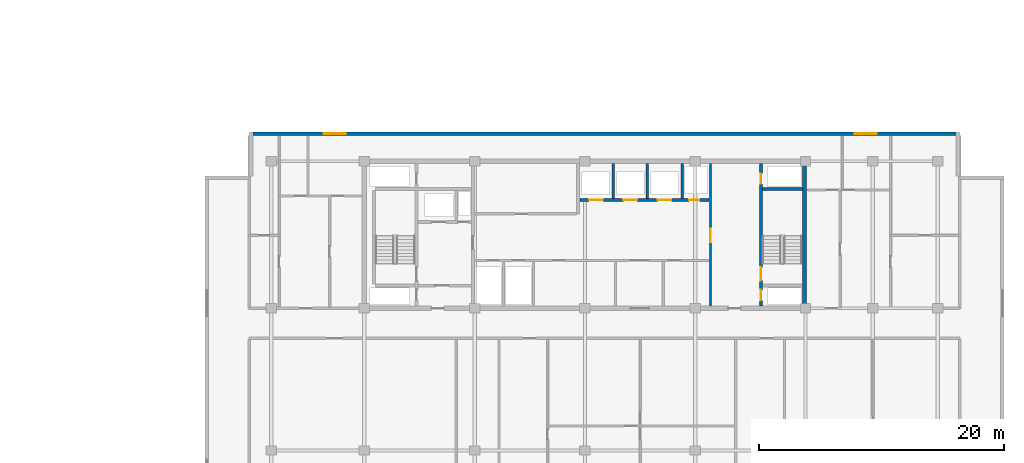
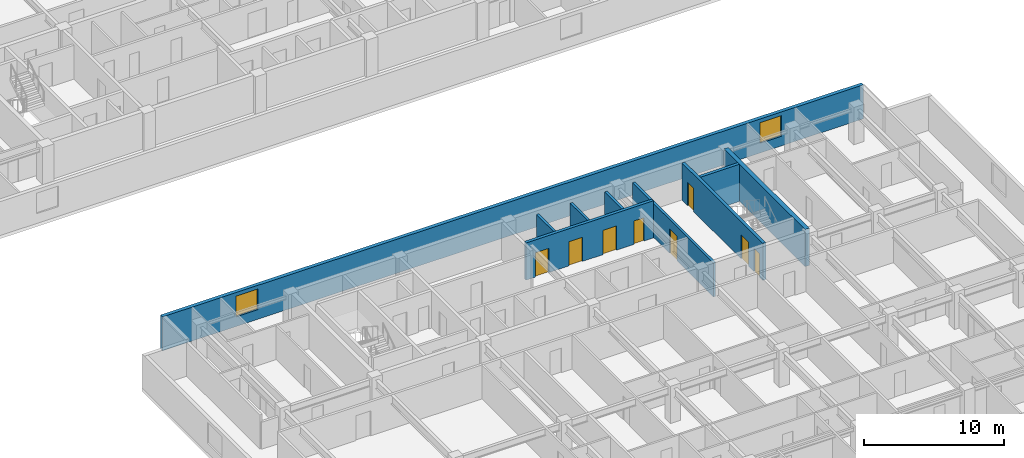
# One storey, part 7 of 21: 9 walls, 8 doors, 2 windows, 10 openings.
"""IFC4 building model written with IfcOpenShell, lengths in metres."""

from ifc_helpers import new_model, si_unit, direction, frame, frame_2d, origin, place, context, subcontext, project, spatial, rectangle, extrude, material, layer, layer_set, type_object, element, fill, save


model = new_model("IFC4")

# Units and contexts
model_context = context("Model", 3, precision=1e-05, world=origin(), true_north=direction((0.0, 1.0)))
body_context = subcontext(model_context, "Body", "Model", "MODEL_VIEW")
ifc_project = project(units=[si_unit("LENGTHUNIT", "METRE"), si_unit("AREAUNIT", "SQUARE_METRE"), si_unit("VOLUMEUNIT", "CUBIC_METRE"), si_unit("PLANEANGLEUNIT", "RADIAN"), si_unit("MASSUNIT", "GRAM", prefix="KILO")], contexts=[model_context])

# Site, building, storey
site_placement = place(None, origin())
site = spatial("IfcSite", under=ifc_project, at=site_placement, CompositionType="ELEMENT")
building_placement = place(site_placement, origin())
building = spatial("IfcBuilding", under=site, at=building_placement, Name="Korimba Cascade Residences", CompositionType="ELEMENT")
storey_placement = place(building_placement, frame((0.0, 0.0, 123.050048828125)))
storey = spatial("IfcBuildingStorey", under=building, at=storey_placement, Name="L35", CompositionType="ELEMENT", Elevation=123.050048828125)

# Wall, openings, windows
ifc_material_1 = material(Name="Precast concrete C40/50", Category="concrete")
ifc_layer_1 = layer(ifc_material_1, 0.300048828125)
ifc_layer_set_1 = layer_set([ifc_layer_1], Name="Precast concrete C40/50")
wall_type_1 = type_object("IfcWallType", Name="EW-STONE-300", PredefinedType="STANDARD", material=ifc_layer_set_1)
wall_1_placement = place(storey_placement, frame((130.699951171875, 32.64990234375, 0.0), z_axis=(0.0, 0.0, 1.0), x_axis=(-1.0, 0.0, 0.0)))
wall_1 = element("IfcWall", 1, at=wall_1_placement, inside=storey, type_object=wall_type_1, Name="L35 T2 Perimeter Stone Wall E06", PredefinedType="STANDARD", context=body_context, shape_type="SweptSolid", body=[
    extrude(rectangle(XDim=58.0, YDim=0.300048828125, at=frame_2d((29.0, 0.0))), origin(), (0.0, 0.0, 1.0), 2.969970703125),
])
opening_1_placement = place(wall_1_placement, frame((50.125, 0.0, 0.85009765625)))
opening_1 = element("IfcOpeningElement", 2, at=opening_1_placement, cuts=wall_1, Name="Opening W-02", PredefinedType="OPENING", context=body_context, shape_type="SweptSolid", body=[
    extrude(rectangle(XDim=1.800048828125, YDim=1.800048828125, at=frame_2d((0.89990234375, 0.89990234375))), frame((0.0, 0.16015625, 0.0), z_axis=(0.0, -1.0, 0.0), x_axis=(1.0, 0.0, 0.0)), (0.0, 0.0, 1.0), 0.320068359375),
])
opening_2_placement = place(wall_1_placement, frame((6.77490234375, 0.0, 0.85009765625)))
opening_2 = element("IfcOpeningElement", 3, at=opening_2_placement, cuts=wall_1, Name="Opening W-02", PredefinedType="OPENING", context=body_context, shape_type="SweptSolid", body=[
    extrude(rectangle(XDim=1.800048828125, YDim=1.800048828125, at=frame_2d((0.89990234375, 0.89990234375))), frame((0.0, 0.16015625, 0.0), z_axis=(0.0, -1.0, 0.0), x_axis=(1.0, 0.0, 0.0)), (0.0, 0.0, 1.0), 0.320068359375),
])
ifc_material_2 = material(Name="Double-Glazed Aluminium Window", Category="aluminium")
window_type = type_object("IfcWindowType", Name="WIN-BED-1800", PartitioningType="SINGLE_PANEL", PredefinedType="WINDOW", material=ifc_material_2)
window_1_placement = place(opening_1_placement, origin())
window_1 = element("IfcWindow", 4, at=window_1_placement, inside=storey, type_object=window_type, Name="L35 T2 North Corner Bedroom Window 1", OverallHeight=1.800048828125, OverallWidth=1.800048828125, PartitioningType="SINGLE_PANEL", PredefinedType="WINDOW", context=body_context, shape_type="SweptSolid", body=[
    extrude(rectangle(XDim=1.800048828125, YDim=1.800048828125, at=frame_2d((0.89990234375, 0.89990234375))), frame((0.0, 0.030029296875, 0.0), z_axis=(0.0, -1.0, 0.0), x_axis=(1.0, 0.0, 0.0)), (0.0, 0.0, 1.0), 0.06005859375),
])
fill(opening_1, window_1)
window_2_placement = place(opening_2_placement, origin())
window_2 = element("IfcWindow", 5, at=window_2_placement, inside=storey, type_object=window_type, Name="L35 T2 North Corner Bedroom Window 2", OverallHeight=1.800048828125, OverallWidth=1.800048828125, PartitioningType="SINGLE_PANEL", PredefinedType="WINDOW", context=body_context, shape_type="SweptSolid", body=[
    extrude(rectangle(XDim=1.800048828125, YDim=1.800048828125, at=frame_2d((0.89990234375, 0.89990234375))), frame((0.0, 0.030029296875, 0.0), z_axis=(0.0, -1.0, 0.0), x_axis=(1.0, 0.0, 0.0)), (0.0, 0.0, 1.0), 0.06005859375),
])
fill(opening_2, window_2)

# Walls
ifc_material_3 = material(Name="Concrete C65/80", Category="concrete")
ifc_layer_2 = layer(ifc_material_3, 0.35009765625)
ifc_layer_set_2 = layer_set([ifc_layer_2], Name="Concrete C65/80")
wall_type_2 = type_object("IfcWallType", Name="WAL-CORE-350", PredefinedType="SHEAR", material=ifc_layer_set_2)
wall_2_placement = place(storey_placement, frame((118.014892578125, 18.574951171875, 0.0), z_axis=(0.0, 0.0, 1.0), x_axis=(0.0, 1.0, 0.0)))
element("IfcWall", 6, at=wall_2_placement, inside=storey, type_object=wall_type_2, Name="L35 Core Shear Wall CW-L35-T2-E", PredefinedType="SHEAR", context=body_context, shape_type="SweptSolid", body=[
    extrude(rectangle(XDim=11.650146484375, YDim=0.35009765625, at=frame_2d((5.8251953125, 0.0))), origin(), (0.0, 0.0, 1.0), 3.25),
])
ifc_material_4 = material(Name="Concrete C40/50", Category="concrete")
ifc_layer_3 = layer(ifc_material_4, 0.199951171875)
ifc_layer_set_3 = layer_set([ifc_layer_3], Name="Concrete C40/50")
wall_type_3 = type_object("IfcWallType", Name="WAL-PART-200", PredefinedType="PARTITIONING", material=ifc_layer_set_3)
for number, where, z_axis, x_axis, name in (
    (7, (102.39990234375, 27.3798828125, 0.0), (0.0, 0.0, 1.0), (0.0, 1.0, 0.0), "L35 Partition Wall CW-L35-T2-B2D1"),
    (8, (105.199951171875, 27.3798828125, 0.0), (0.0, 0.0, 1.0), (0.0, 1.0, 0.0), "L35 Partition Wall CW-L35-T2-B2D2"),
    (9, (108.050048828125, 27.3798828125, 0.0), (0.0, 0.0, 1.0), (0.0, 1.0, 0.0), "L35 Partition Wall CW-L35-T2-B2D3"),
):
    element("IfcWall", number, at=place(storey_placement, frame(where, z_axis=z_axis, x_axis=x_axis)), inside=storey, type_object=wall_type_3, Name=name, PredefinedType="PARTITIONING", context=body_context, shape_type="SweptSolid", body=[
        extrude(rectangle(XDim=2.820068359375, YDim=0.199951171875, at=frame_2d((1.41015625, 0.0))), origin(), (0.0, 0.0, 1.0), 2.969970703125),
    ])

# Wall, opening, door
wall_3_placement = place(storey_placement, frame((110.35009765625, 18.60009765625, 0.0), z_axis=(0.0, 0.0, 1.0), x_axis=(0.0, 1.0, 0.0)))
wall_3 = element("IfcWall", 10, at=wall_3_placement, inside=storey, type_object=wall_type_3, Name="L35 Partition Wall CW-L35-T2-LLEV", PredefinedType="PARTITIONING", context=body_context, shape_type="SweptSolid", body=[
    extrude(rectangle(XDim=11.599853515625, YDim=0.199951171875, at=frame_2d((5.7998046875, 0.0))), origin(), (0.0, 0.0, 1.0), 2.969970703125),
])
opening_3_placement = place(wall_3_placement, frame((5.199951171875, 0.0, 0.0)))
opening_3 = element("IfcOpeningElement", 11, at=opening_3_placement, cuts=wall_3, Name="Opening D-FD6", PredefinedType="OPENING", context=body_context, shape_type="SweptSolid", body=[
    extrude(rectangle(XDim=1.10009765625, YDim=2.14990234375, at=frame_2d((0.550048828125, 1.074951171875))), frame((0.0, 0.10986328125, 0.0), z_axis=(0.0, -1.0, 0.0), x_axis=(1.0, 0.0, 0.0)), (0.0, 0.0, 1.0), 0.219970703125),
])
ifc_material_5 = material(Name="Fire-Rated Timber Stair Lobby Door", Category="wood")
door_type_1 = type_object("IfcDoorType", Name="DR-FD90-1100", OperationType="NOTDEFINED", PredefinedType="DOOR", material=ifc_material_5)
door_1_placement = place(opening_3_placement, origin())
door_1 = element("IfcDoor", 12, at=door_1_placement, inside=storey, type_object=door_type_1, Name="L35 T2 Lift Lobby to East Stair Lobby Door", OperationType="SINGLE_SWING_LEFT", OverallHeight=2.14990234375, OverallWidth=1.10009765625, PredefinedType="DOOR", context=body_context, shape_type="SweptSolid", body=[
    extrude(rectangle(XDim=1.10009765625, YDim=2.14990234375, at=frame_2d((0.550048828125, 1.074951171875))), frame((0.0, 0.02490234375, 0.0), z_axis=(0.0, -1.0, 0.0), x_axis=(1.0, 0.0, 0.0)), (0.0, 0.0, 1.0), 0.050048828125),
])
fill(opening_3, door_1)

# Wall, openings, doors
ifc_material_6 = material(Name="Concrete C50/60", Category="concrete")
ifc_layer_4 = layer(ifc_material_6, 0.25)
ifc_layer_set_4 = layer_set([ifc_layer_4], Name="Concrete C50/60")
wall_type_4 = type_object("IfcWallType", Name="WAL-SHAFT-250", PredefinedType="SHEAR", material=ifc_layer_set_4)
wall_4_placement = place(storey_placement, frame((99.679931640625, 27.25, 0.0), z_axis=(0.0, 0.0, 1.0), x_axis=(1.0, 0.0, 0.0)))
wall_4 = element("IfcWall", 13, at=wall_4_placement, inside=storey, type_object=wall_type_4, Name="L35 Core Shear Wall CW-L35-T2-B2S", PredefinedType="SHEAR", context=body_context, shape_type="SweptSolid", body=[
    extrude(rectangle(XDim=10.5400390625, YDim=0.25, at=frame_2d((5.27001953125, 0.0))), origin(), (0.0, 0.0, 1.0), 3.25),
])
opening_4_placement = place(wall_4_placement, frame((0.760009765625, 0.0, 0.0)))
opening_4 = element("IfcOpeningElement", 14, at=opening_4_placement, cuts=wall_4, Name="Opening LD-01", PredefinedType="OPENING", context=body_context, shape_type="SweptSolid", body=[
    extrude(rectangle(XDim=1.1201171875, YDim=2.1201171875, at=frame_2d((0.56005859375, 1.06005859375))), frame((0.0, 0.135009765625, 0.0), z_axis=(0.0, -1.0, 0.0), x_axis=(1.0, 0.0, 0.0)), (0.0, 0.0, 1.0), 0.27001953125),
])
opening_5_placement = place(wall_4_placement, frame((3.56005859375, 0.0, 0.0)))
opening_5 = element("IfcOpeningElement", 15, at=opening_5_placement, cuts=wall_4, Name="Opening LD-01", PredefinedType="OPENING", context=body_context, shape_type="SweptSolid", body=[
    extrude(rectangle(XDim=1.1201171875, YDim=2.1201171875, at=frame_2d((0.56005859375, 1.06005859375))), frame((0.0, 0.135009765625, 0.0), z_axis=(0.0, -1.0, 0.0), x_axis=(1.0, 0.0, 0.0)), (0.0, 0.0, 1.0), 0.27001953125),
])
opening_6_placement = place(wall_4_placement, frame((6.360107421875, 0.0, 0.0)))
opening_6 = element("IfcOpeningElement", 16, at=opening_6_placement, cuts=wall_4, Name="Opening LD-01", PredefinedType="OPENING", context=body_context, shape_type="SweptSolid", body=[
    extrude(rectangle(XDim=1.1201171875, YDim=2.1201171875, at=frame_2d((0.56005859375, 1.06005859375))), frame((0.0, 0.135009765625, 0.0), z_axis=(0.0, -1.0, 0.0), x_axis=(1.0, 0.0, 0.0)), (0.0, 0.0, 1.0), 0.27001953125),
])
opening_7_placement = place(wall_4_placement, frame((8.919921875, 0.0, 0.0)))
opening_7 = element("IfcOpeningElement", 17, at=opening_7_placement, cuts=wall_4, Name="Opening D-RS1", PredefinedType="OPENING", context=body_context, shape_type="SweptSolid", body=[
    extrude(rectangle(XDim=0.85009765625, YDim=2.050048828125, at=frame_2d((0.425048828125, 1.02490234375))), frame((0.0, 0.135009765625, 0.0), z_axis=(0.0, -1.0, 0.0), x_axis=(1.0, 0.0, 0.0)), (0.0, 0.0, 1.0), 0.27001953125),
])
ifc_material_7 = material(Name="Fire-Rated Steel Riser Access Door", Category="steel")
door_type_2 = type_object("IfcDoorType", Name="DR-FD60-850", OperationType="NOTDEFINED", PredefinedType="DOOR", material=ifc_material_7)
door_2_placement = place(opening_7_placement, origin())
door_2 = element("IfcDoor", 18, at=door_2_placement, inside=storey, type_object=door_type_2, Name="L35 T2 Duct Door", OperationType="SINGLE_SWING_RIGHT", OverallHeight=2.050048828125, OverallWidth=0.85009765625, PredefinedType="DOOR", context=body_context, shape_type="SweptSolid", body=[
    extrude(rectangle(XDim=0.85009765625, YDim=2.050048828125, at=frame_2d((0.425048828125, 1.02490234375))), frame((0.0, 0.02490234375, 0.0), z_axis=(0.0, -1.0, 0.0), x_axis=(1.0, 0.0, 0.0)), (0.0, 0.0, 1.0), 0.050048828125),
])
fill(opening_7, door_2)
ifc_material_8 = material(Name="Stainless Steel Lift Landing Sliding Door", Category="steel")
door_type_3 = type_object("IfcDoorType", Name="DR-LIFT-1100", OperationType="NOTDEFINED", PredefinedType="DOOR", material=ifc_material_8)
door_3_placement = place(opening_4_placement, origin())
door_3 = element("IfcDoor", 19, at=door_3_placement, inside=storey, type_object=door_type_3, Name="L35 Lift Landing Door PL-E4", OperationType="SLIDING_TO_RIGHT", OverallHeight=2.1201171875, OverallWidth=1.1201171875, PredefinedType="DOOR", context=body_context, shape_type="SweptSolid", body=[
    extrude(rectangle(XDim=1.1201171875, YDim=2.1201171875, at=frame_2d((0.56005859375, 1.06005859375))), frame((0.0, 0.02490234375, 0.0), z_axis=(0.0, -1.0, 0.0), x_axis=(1.0, 0.0, 0.0)), (0.0, 0.0, 1.0), 0.050048828125),
])
fill(opening_4, door_3)
door_4_placement = place(opening_5_placement, origin())
door_4 = element("IfcDoor", 20, at=door_4_placement, inside=storey, type_object=door_type_3, Name="L35 Lift Landing Door PL-E5", OperationType="SLIDING_TO_RIGHT", OverallHeight=2.1201171875, OverallWidth=1.1201171875, PredefinedType="DOOR", context=body_context, shape_type="SweptSolid", body=[
    extrude(rectangle(XDim=1.1201171875, YDim=2.1201171875, at=frame_2d((0.56005859375, 1.06005859375))), frame((0.0, 0.02490234375, 0.0), z_axis=(0.0, -1.0, 0.0), x_axis=(1.0, 0.0, 0.0)), (0.0, 0.0, 1.0), 0.050048828125),
])
fill(opening_5, door_4)
door_5_placement = place(opening_6_placement, origin())
door_5 = element("IfcDoor", 21, at=door_5_placement, inside=storey, type_object=door_type_3, Name="L35 Lift Landing Door PL-E6", OperationType="SLIDING_TO_RIGHT", OverallHeight=2.1201171875, OverallWidth=1.1201171875, PredefinedType="DOOR", context=body_context, shape_type="SweptSolid", body=[
    extrude(rectangle(XDim=1.1201171875, YDim=2.1201171875, at=frame_2d((0.56005859375, 1.06005859375))), frame((0.0, 0.02490234375, 0.0), z_axis=(0.0, -1.0, 0.0), x_axis=(1.0, 0.0, 0.0)), (0.0, 0.0, 1.0), 0.050048828125),
])
fill(opening_6, door_5)

wall_5_placement = place(storey_placement, frame((114.47509765625, 18.60009765625, 0.0), z_axis=(0.0, 0.0, 1.0), x_axis=(0.0, 1.0, 0.0)))
wall_5 = element("IfcWall", 22, at=wall_5_placement, inside=storey, type_object=wall_type_4, Name="L35 Core Shear Wall CW-L35-T2-STE2W", PredefinedType="SHEAR", context=body_context, shape_type="SweptSolid", body=[
    extrude(rectangle(XDim=11.599853515625, YDim=0.25, at=frame_2d((5.7998046875, 0.0))), origin(), (0.0, 0.0, 1.0), 3.25),
])
opening_8_placement = place(wall_5_placement, frame((0.449951171875, 0.0, 0.0)))
opening_8 = element("IfcOpeningElement", 23, at=opening_8_placement, cuts=wall_5, Name="Opening D-RS1", PredefinedType="OPENING", context=body_context, shape_type="SweptSolid", body=[
    extrude(rectangle(XDim=0.85009765625, YDim=2.050048828125, at=frame_2d((0.425048828125, 1.02490234375))), frame((0.0, 0.135009765625, 0.0), z_axis=(0.0, -1.0, 0.0), x_axis=(1.0, 0.0, 0.0)), (0.0, 0.0, 1.0), 0.27001953125),
])
opening_9_placement = place(wall_5_placement, frame((2.050048828125, 0.0, 0.0)))
opening_9 = element("IfcOpeningElement", 24, at=opening_9_placement, cuts=wall_5, Name="Opening D-FD1", PredefinedType="OPENING", context=body_context, shape_type="SweptSolid", body=[
    extrude(rectangle(XDim=1.10009765625, YDim=2.10009765625, at=frame_2d((0.550048828125, 1.050048828125))), frame((0.0, 0.135009765625, 0.0), z_axis=(0.0, -1.0, 0.0), x_axis=(1.0, 0.0, 0.0)), (0.0, 0.0, 1.0), 0.27001953125),
])
opening_10_placement = place(wall_5_placement, frame((9.949951171875, 0.0, 0.0)))
opening_10 = element("IfcOpeningElement", 25, at=opening_10_placement, cuts=wall_5, Name="Opening D-RS1", PredefinedType="OPENING", context=body_context, shape_type="SweptSolid", body=[
    extrude(rectangle(XDim=0.85009765625, YDim=2.050048828125, at=frame_2d((0.425048828125, 1.02490234375))), frame((0.0, 0.135009765625, 0.0), z_axis=(0.0, -1.0, 0.0), x_axis=(1.0, 0.0, 0.0)), (0.0, 0.0, 1.0), 0.27001953125),
])
ifc_material_9 = material(Name="Fire-Rated Steel Core Door", Category="steel")
door_type_4 = type_object("IfcDoorType", Name="DR-FD120-1100", OperationType="NOTDEFINED", PredefinedType="DOOR", material=ifc_material_9)
door_6_placement = place(opening_9_placement, origin())
door_6 = element("IfcDoor", 26, at=door_6_placement, inside=storey, type_object=door_type_4, Name="L35 Fire Stair ST-E2 Door", OperationType="SINGLE_SWING_LEFT", OverallHeight=2.10009765625, OverallWidth=1.10009765625, PredefinedType="DOOR", context=body_context, shape_type="SweptSolid", body=[
    extrude(rectangle(XDim=1.10009765625, YDim=2.10009765625, at=frame_2d((0.550048828125, 1.050048828125))), frame((0.0, 0.02490234375, 0.0), z_axis=(0.0, -1.0, 0.0), x_axis=(1.0, 0.0, 0.0)), (0.0, 0.0, 1.0), 0.050048828125),
])
fill(opening_9, door_6)
door_7_placement = place(opening_8_placement, origin())
door_7 = element("IfcDoor", 27, at=door_7_placement, inside=storey, type_object=door_type_2, Name="L35 T2 East Hydrant Door", OperationType="SINGLE_SWING_RIGHT", OverallHeight=2.050048828125, OverallWidth=0.85009765625, PredefinedType="DOOR", context=body_context, shape_type="SweptSolid", body=[
    extrude(rectangle(XDim=0.85009765625, YDim=2.050048828125, at=frame_2d((0.425048828125, 1.02490234375))), frame((0.0, 0.02490234375, 0.0), z_axis=(0.0, -1.0, 0.0), x_axis=(1.0, 0.0, 0.0)), (0.0, 0.0, 1.0), 0.050048828125),
])
fill(opening_8, door_7)
door_8_placement = place(opening_10_placement, origin())
door_8 = element("IfcDoor", 28, at=door_8_placement, inside=storey, type_object=door_type_2, Name="L35 T2 East Riser Door", OperationType="SINGLE_SWING_RIGHT", OverallHeight=2.050048828125, OverallWidth=0.85009765625, PredefinedType="DOOR", context=body_context, shape_type="SweptSolid", body=[
    extrude(rectangle(XDim=0.85009765625, YDim=2.050048828125, at=frame_2d((0.425048828125, 1.02490234375))), frame((0.0, 0.02490234375, 0.0), z_axis=(0.0, -1.0, 0.0), x_axis=(1.0, 0.0, 0.0)), (0.0, 0.0, 1.0), 0.050048828125),
])
fill(opening_10, door_8)

# Wall
wall_6_placement = place(storey_placement, frame((114.60009765625, 28.125, 0.0), z_axis=(0.0, 0.0, 1.0), x_axis=(1.0, 0.0, 0.0)))
element("IfcWall", 29, at=wall_6_placement, inside=storey, type_object=wall_type_4, Name="L35 Core Shear Wall CW-L35-T2-STE2N", PredefinedType="SHEAR", context=body_context, shape_type="SweptSolid", body=[
    extrude(rectangle(XDim=3.239990234375, YDim=0.25, at=frame_2d((1.6201171875, 0.0))), origin(), (0.0, 0.0, 1.0), 3.25),
])

save(model, "model.ifc")
